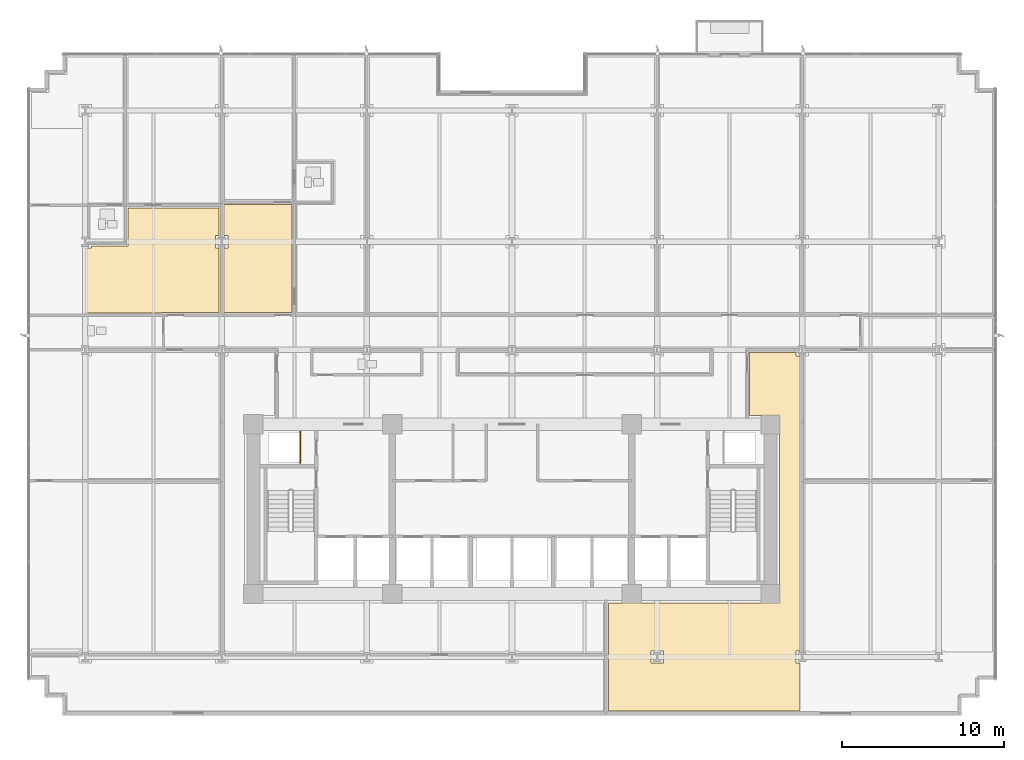
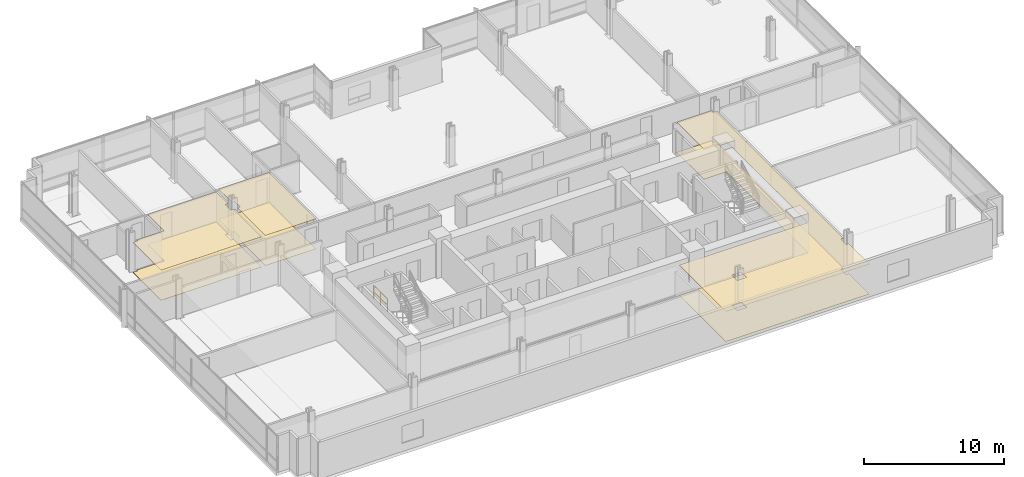
# One storey, part 17 of 21: 6 coverings, 1 railing.
"""IFC4 building model written with IfcOpenShell, lengths in metres."""

import ifcopenshell
import ifcopenshell.guid

model = None  # the IFC model being written
_history = None  # IfcOwnerHistory: only IFC2X3 demands one
_inside = {}  # id of a spatial element -> (the spatial element, [elements in it])
_under = {}  # id of a project, library or spatial element -> (it, [spatial elements below it])
_declared = {}  # id of a project -> (the project, [libraries it declares])
_typed = {}  # id of a type object -> (the type object, [elements of that type])
_made_of = {}  # id of a material, layer set ... -> (it, [elements and type objects made of it])


def new_model(schema):
    """Start an empty IFC model of exactly this schema.

    Asked for "IFC4X3", IfcOpenShell would pick the latest addendum, in which some entities
    have other attributes; the version numbers below select the first issue.
    IFC2X3 requires an IfcOwnerHistory on every rooted entity: one is made here for all.
    """
    global model, _history
    if schema == "IFC4X3":
        model = ifcopenshell.file(schema_version=(4, 3, 0, 0))
    else:
        model = ifcopenshell.file(schema=schema)
    _inside.clear()
    _under.clear()
    _declared.clear()
    _typed.clear()
    _made_of.clear()
    _history = None
    if model.schema == "IFC2X3":
        org = make("IfcOrganization", Name="unknown")
        user = make(
            "IfcPersonAndOrganization",
            ThePerson=make("IfcPerson", FamilyName="unknown"),
            TheOrganization=org,
        )
        app = make(
            "IfcApplication",
            ApplicationDeveloper=org,
            Version="unknown",
            ApplicationFullName="unknown",
            ApplicationIdentifier="unknown",
        )
        _history = make(
            "IfcOwnerHistory",
            OwningUser=user,
            OwningApplication=app,
            ChangeAction="ADDED",
            CreationDate=0,
        )
    return model


def make(cls, **values):
    """One entity of the class cls with the attributes given. An attribute that is None is left unset."""
    return model.create_entity(
        cls, **{name: value for name, value in values.items() if value is not None}
    )


def rooted(cls, **values):
    """An entity with a GlobalId (a new one), such as an element, a storey or a relation."""
    return make(cls, GlobalId=ifcopenshell.guid.new(), OwnerHistory=_history, **values)


def si_unit(unit_type, name, prefix=None):
    """IfcSIUnit, for example si_unit("LENGTHUNIT", "METRE", prefix="MILLI")."""
    return make("IfcSIUnit", UnitType=unit_type, Prefix=prefix, Name=name)


def assignment(units):
    """IfcUnitAssignment: the units of a project."""
    return None if units is None else make("IfcUnitAssignment", Units=units)


def point(xyz):
    """IfcCartesianPoint."""
    return None if xyz is None else make("IfcCartesianPoint", Coordinates=xyz)


def direction(xyz):
    """IfcDirection."""
    return None if xyz is None else make("IfcDirection", DirectionRatios=xyz)


def frame(location, z_axis=None, x_axis=None):
    """IfcAxis2Placement3D, a coordinate frame: its origin and axes. An axis left out is left unset."""
    return make(
        "IfcAxis2Placement3D",
        Location=point(location),
        Axis=direction(z_axis),
        RefDirection=direction(x_axis),
    )


def frame_2d(location, x_axis=None):
    """IfcAxis2Placement2D, a coordinate frame in the plane: its origin and x axis."""
    return make(
        "IfcAxis2Placement2D", Location=point(location), RefDirection=direction(x_axis)
    )


def origin():
    """The frame at (0, 0, 0) with its axes left unset."""
    return frame((0.0, 0.0, 0.0))


def origin_2d():
    """The frame at (0, 0) in the plane with its x axis left unset."""
    return frame_2d((0.0, 0.0))


def place(relative_to, where):
    """IfcLocalPlacement: puts the frame where relative to a parent placement (None: the world)."""
    return make(
        "IfcLocalPlacement", PlacementRelTo=relative_to, RelativePlacement=where
    )


def context(
    kind, dimensions, precision=None, world=None, true_north=None, identifier=None
):
    """IfcGeometricRepresentationContext, for example the 3D "Model" context."""
    return make(
        "IfcGeometricRepresentationContext",
        ContextIdentifier=identifier,
        ContextType=kind,
        CoordinateSpaceDimension=dimensions,
        Precision=precision,
        WorldCoordinateSystem=world,
        TrueNorth=true_north,
    )


def subcontext(parent, identifier, kind, view, scale=None):
    """IfcGeometricRepresentationSubContext, for example "Body" below "Model"."""
    return make(
        "IfcGeometricRepresentationSubContext",
        ContextIdentifier=identifier,
        ContextType=kind,
        ParentContext=parent,
        TargetScale=scale,
        TargetView=view,
    )


def project(units=None, contexts=None):
    """IfcProject with its units and contexts."""
    return rooted(
        "IfcProject",
        Name="project",
        RepresentationContexts=contexts,
        UnitsInContext=assignment(units),
    )


def spatial(cls, under=None, at=None, **own):
    """A site, building, storey or space (cls), placed at a placement, below another one or the project."""
    s = rooted(cls, ObjectPlacement=at, **own)
    if under is not None:
        _under.setdefault(under.id(), (under, []))[1].append(s)
    return s


def polyline(points):
    """IfcPolyline through the points."""
    return make("IfcPolyline", Points=[point(p) for p in points])


def profile(cls, at=None, kind="AREA", **sizes):
    """A parametric profile (cls). Its sizes go by their IFC names, for example OverallWidth=200.0."""
    return make(cls, ProfileType=kind, Position=at, **sizes)


def circle(**sizes):
    """IfcCircleProfileDef."""
    return profile("IfcCircleProfileDef", **sizes)


def outline(outer, holes=None, kind="AREA"):
    """IfcArbitraryClosedProfileDef: a profile drawn as a closed curve; with holes, ...WithVoids."""
    if holes is None:
        return make("IfcArbitraryClosedProfileDef", ProfileType=kind, OuterCurve=outer)
    return make(
        "IfcArbitraryProfileDefWithVoids",
        ProfileType=kind,
        OuterCurve=outer,
        InnerCurves=holes,
    )


def extrude(swept, where, along, depth):
    """IfcExtrudedAreaSolid: the profile swept, set in the frame where, extruded along a direction by depth."""
    return make(
        "IfcExtrudedAreaSolid",
        SweptArea=swept,
        Position=where,
        ExtrudedDirection=direction(along),
        Depth=depth,
    )


def shape(context_of_items, identifier, shape_type, items):
    """IfcShapeRepresentation: the items that make up one representation, for example the "Body"."""
    return make(
        "IfcShapeRepresentation",
        ContextOfItems=context_of_items,
        RepresentationIdentifier=identifier,
        RepresentationType=shape_type,
        Items=items,
    )


def material(Name=None, Category=None):
    """IfcMaterial."""
    return make("IfcMaterial", Name=Name, Category=Category)


def layer(
    of_material, thickness, ventilated=None, Name=None, Category=None, Priority=None
):
    """IfcMaterialLayer: one layer of a wall or slab, of a material (None: an air gap)."""
    return make(
        "IfcMaterialLayer",
        Material=of_material,
        LayerThickness=thickness,
        IsVentilated=ventilated,
        Name=Name,
        Category=Category,
        Priority=Priority,
    )


def layer_set(layers, Name=None):
    """IfcMaterialLayerSet."""
    return make("IfcMaterialLayerSet", MaterialLayers=layers, LayerSetName=Name)


def made_of(thing, what):
    """Note that an element or type object is made of a material, layer set ...; save() writes the relation."""
    if what is not None:
        _made_of.setdefault(what.id(), (what, []))[1].append(thing)
    return thing


def type_object(cls, material=None, **own):
    """A type object (cls), such as IfcWallType, which elements share."""
    return made_of(rooted(cls, **own), material)


def element(
    cls,
    number,
    at=None,
    inside=None,
    cuts=None,
    type_object=None,
    material=None,
    context=None,
    identifier="Body",
    shape_type=None,
    held_by="IfcProductDefinitionShape",
    body=None,
    shapes=None,
    **own,
):
    """One element of the class cls, such as IfcWall. Its Tag is "e" and its number.

    at: its placement. inside: the storey or other place that contains it. cuts: it is an
    opening in that element (IfcRelVoidsElement). A single representation is given by context,
    identifier, shape_type and body (its items); several are given by shapes. held_by: the class
    of the entity that holds the representations. save() writes the other relations.
    """
    e = rooted(cls, Tag="e%d" % number, ObjectPlacement=at, **own)
    if body is not None:
        shapes = [shape(context, identifier, shape_type, body)]
    if shapes is not None:
        e.Representation = make(held_by, Representations=shapes)
    if inside is not None:
        _inside.setdefault(inside.id(), (inside, []))[1].append(e)
    if cuts is not None:
        rooted(
            "IfcRelVoidsElement", RelatingBuildingElement=cuts, RelatedOpeningElement=e
        )
    if type_object is not None:
        _typed.setdefault(type_object.id(), (type_object, []))[1].append(e)
    return made_of(e, material)


def aggregate(whole, parts):
    """IfcRelAggregates: a whole, such as a stair, and the parts it consists of."""
    return rooted("IfcRelAggregates", RelatingObject=whole, RelatedObjects=parts)


def save(model, path):
    """Write the relations noted so far, then the file.

    IfcRelAggregates (storeys below a building ...), IfcRelContainedInSpatialStructure (elements
    in a storey), IfcRelDefinesByType, IfcRelAssociatesMaterial and IfcRelDeclares: one each for
    every whole, place, type object, material and project.
    """
    for whole, parts in _under.values():
        aggregate(whole, parts)
    for where, things in _inside.values():
        rooted(
            "IfcRelContainedInSpatialStructure",
            RelatedElements=things,
            RelatingStructure=where,
        )
    for kind, things in _typed.values():
        rooted("IfcRelDefinesByType", RelatedObjects=things, RelatingType=kind)
    for what, things in _made_of.values():
        rooted("IfcRelAssociatesMaterial", RelatedObjects=things, RelatingMaterial=what)
    for by, libraries in _declared.values():
        rooted("IfcRelDeclares", RelatingContext=by, RelatedDefinitions=libraries)
    model.write(path)


model = new_model("IFC4")

# Units and contexts
model_context = context("Model", 3, precision=1e-05, world=origin(), true_north=direction((0.0, 1.0)))
body_context = subcontext(model_context, "Body", "Model", "MODEL_VIEW")
ifc_project = project(units=[si_unit("LENGTHUNIT", "METRE"), si_unit("AREAUNIT", "SQUARE_METRE"), si_unit("VOLUMEUNIT", "CUBIC_METRE"), si_unit("PLANEANGLEUNIT", "RADIAN"), si_unit("MASSUNIT", "GRAM", prefix="KILO")], contexts=[model_context])

# Site, building, storey
site_placement = place(None, origin())
site = spatial("IfcSite", under=ifc_project, at=site_placement, CompositionType="ELEMENT")
building_placement = place(site_placement, origin())
building = spatial("IfcBuilding", under=site, at=building_placement, Name="Solmavex Isthmus Hotel", CompositionType="ELEMENT")
storey_placement = place(building_placement, frame((0.0, 0.0, 60.89990234375)))
storey = spatial("IfcBuildingStorey", under=building, at=storey_placement, Name="L16", CompositionType="ELEMENT", Elevation=60.89990234375)

# Coverings
ifc_material_1 = material(Name="Gypsum plasterboard lining", Category="gypsum")
ifc_layer_1 = layer(ifc_material_1, 0.030029296875)
ifc_layer_set_1 = layer_set([ifc_layer_1], Name="Gypsum plasterboard lining")
covering_type_1 = type_object("IfcCoveringType", Name="COV-CEIL-GYP", PredefinedType="CEILING", material=ifc_layer_set_1)
covering_1_placement = place(storey_placement, frame((0.0, 0.0, 2.6201171875)))
element("IfcCovering", 1, at=covering_1_placement, inside=storey, type_object=covering_type_1, Name="Suspended Acoustic Ceiling L16-SH01-LV", PredefinedType="CEILING", context=body_context, shape_type="SweptSolid", body=[
    extrude(outline(polyline([(-26.02001953125, 8.532958984375), (-26.02001953125, 8.407958984375), (-26.39990234375, 8.407958984375), (-26.39990234375, 4.385009765625), (-21.70703125, 4.385009765625), (-21.70703125, 4.405029296875), (-18.10693359375, 4.405029296875), (-18.10693359375, 8.407958984375), (-18.33203125, 8.407958984375), (-18.33203125, 9.16796875), (-18.10693359375, 9.16796875), (-18.10693359375, 10.883056640625), (-23.760986328125, 10.883056640625), (-23.760986328125, 8.532958984375), (-26.02001953125, 8.532958984375)])), origin(), (0.0, 0.0, 1.0), 0.030029296875),
])
covering_2_placement = place(storey_placement, frame((0.0, 0.0, 2.6201171875)))
element("IfcCovering", 2, at=covering_2_placement, inside=storey, type_object=covering_type_1, Name="Suspended Acoustic Ceiling L16-SL02-FY", PredefinedType="CEILING", context=body_context, shape_type="SweptSolid", body=[
    extrude(outline(polyline([(-17.797119140625, 9.16796875), (-17.572021484375, 9.16796875), (-17.572021484375, 8.407958984375), (-17.797119140625, 8.407958984375), (-17.797119140625, 4.405029296875), (-13.618896484375, 4.405029296875), (-13.618896484375, 11.0830078125), (-17.797119140625, 11.0830078125), (-17.797119140625, 9.16796875)])), origin(), (0.0, 0.0, 1.0), 0.030029296875),
])
covering_3_placement = place(storey_placement, frame((0.0, 0.0, 2.6201171875)))
element("IfcCovering", 3, at=covering_3_placement, inside=storey, type_object=covering_type_1, Name="Suspended Acoustic Ceiling L16-FL13", PredefinedType="CEILING", context=body_context, shape_type="SweptSolid", body=[
    extrude(outline(polyline([(17.797119140625, 1.719970703125), (17.572021484375, 1.719970703125), (17.572021484375, 1.945068359375), (14.698974609375, 1.945068359375), (14.698974609375, -1.945068359375), (16.554931640625, -1.945068359375), (16.554931640625, -13.554931640625), (5.955078125, -13.554931640625), (5.955078125, -20.22509765625), (17.797119140625, -20.22509765625), (17.797119140625, -17.280029296875), (17.572021484375, -17.280029296875), (17.572021484375, -16.52001953125), (17.797119140625, -16.52001953125), (17.797119140625, 1.719970703125)]), holes=[polyline([(8.595947265625, -17.280029296875), (8.595947265625, -16.52001953125), (9.35595703125, -16.52001953125), (9.35595703125, -17.280029296875), (8.595947265625, -17.280029296875)])]), origin(), (0.0, 0.0, 1.0), 0.030029296875),
])
ifc_material_2 = material(Name="Travertine natural stone", Category="masonry")
ifc_layer_2 = layer(ifc_material_2, 0.02490234375)
ifc_layer_set_2 = layer_set([ifc_layer_2], Name="Travertine natural stone")
covering_type_2 = type_object("IfcCoveringType", Name="COV-FLOR-STN", PredefinedType="FLOORING", material=ifc_layer_set_2)
covering_4_placement = place(storey_placement, origin())
element("IfcCovering", 4, at=covering_4_placement, inside=storey, type_object=covering_type_2, Name="Stone and Timber Floor Finish L16-SH01-LV", PredefinedType="FLOORING", context=body_context, shape_type="SweptSolid", body=[
    extrude(outline(polyline([(-26.02001953125, 8.532958984375), (-26.02001953125, 8.407958984375), (-26.39990234375, 8.407958984375), (-26.39990234375, 4.385009765625), (-21.70703125, 4.385009765625), (-21.70703125, 4.405029296875), (-18.10693359375, 4.405029296875), (-18.10693359375, 8.407958984375), (-18.33203125, 8.407958984375), (-18.33203125, 9.16796875), (-18.10693359375, 9.16796875), (-18.10693359375, 10.883056640625), (-23.760986328125, 10.883056640625), (-23.760986328125, 8.532958984375), (-26.02001953125, 8.532958984375)])), origin(), (0.0, 0.0, 1.0), 0.025146484375),
])
covering_5_placement = place(storey_placement, origin())
element("IfcCovering", 5, at=covering_5_placement, inside=storey, type_object=covering_type_2, Name="Stone and Timber Floor Finish L16-SL02-FY", PredefinedType="FLOORING", context=body_context, shape_type="SweptSolid", body=[
    extrude(outline(polyline([(-17.797119140625, 9.16796875), (-17.572021484375, 9.16796875), (-17.572021484375, 8.407958984375), (-17.797119140625, 8.407958984375), (-17.797119140625, 4.405029296875), (-13.618896484375, 4.405029296875), (-13.618896484375, 11.0830078125), (-17.797119140625, 11.0830078125), (-17.797119140625, 9.16796875)])), origin(), (0.0, 0.0, 1.0), 0.025146484375),
])
covering_6_placement = place(storey_placement, origin())
element("IfcCovering", 6, at=covering_6_placement, inside=storey, type_object=covering_type_2, Name="Stone and Timber Floor Finish L16-FL13", PredefinedType="FLOORING", context=body_context, shape_type="SweptSolid", body=[
    extrude(outline(polyline([(17.797119140625, 1.719970703125), (17.572021484375, 1.719970703125), (17.572021484375, 1.945068359375), (14.698974609375, 1.945068359375), (14.698974609375, -1.945068359375), (16.554931640625, -1.945068359375), (16.554931640625, -13.554931640625), (5.955078125, -13.554931640625), (5.955078125, -20.22509765625), (17.797119140625, -20.22509765625), (17.797119140625, -17.280029296875), (17.572021484375, -17.280029296875), (17.572021484375, -16.52001953125), (17.797119140625, -16.52001953125), (17.797119140625, 1.719970703125)]), holes=[polyline([(8.595947265625, -17.280029296875), (8.595947265625, -16.52001953125), (9.35595703125, -16.52001953125), (9.35595703125, -17.280029296875), (8.595947265625, -17.280029296875)])]), origin(), (0.0, 0.0, 1.0), 0.025146484375),
])

# Railing
ifc_material_3 = material(Name="Clear low-E laminated glass", Category="glass")
ifc_layer_3 = layer(ifc_material_3, 0.080078125)
ifc_layer_set_3 = layer_set([ifc_layer_3], Name="Clear low-E laminated glass")
railing_type = type_object("IfcRailingType", Name="RAIL-ATRIUM-1120", PredefinedType="BALUSTRADE", material=ifc_layer_set_3)
railing_placement = place(storey_placement, frame((-13.10009765625, -4.89990234375, 0.0)))
element("IfcRailing", 7, at=railing_placement, inside=storey, type_object=railing_type, Name="Guardrail Balustrade L16-RSW-01", PredefinedType="BALUSTRADE", context=body_context, shape_type="SweptSolid", body=[
    extrude(circle(Radius=0.02392578125, at=origin_2d()), frame((0.0, 0.0, 1.1259765625), z_axis=(0.0, 1.0, 0.0), x_axis=(-1.0, 0.0, 0.0)), (0.0, 0.0, 1.0), 1.949951171875),
    extrude(circle(Radius=0.02392578125, at=origin_2d()), frame((0.0, 0.0, 0.574951171875), z_axis=(0.0, 1.0, 0.0), x_axis=(-1.0, 0.0, 0.0)), (0.0, 0.0, 1.0), 1.949951171875),
    extrude(circle(Radius=0.02099609375, at=origin_2d()), origin(), (0.0, 0.0, 1.0), 1.101806640625),
    extrude(circle(Radius=0.02099609375, at=origin_2d()), frame((0.0, 0.97509765625, 0.0)), (0.0, 0.0, 1.0), 1.101806640625),
    extrude(circle(Radius=0.02099609375, at=origin_2d()), frame((0.0, 1.949951171875, 0.0)), (0.0, 0.0, 1.0), 1.101806640625),
])

save(model, "model.ifc")
